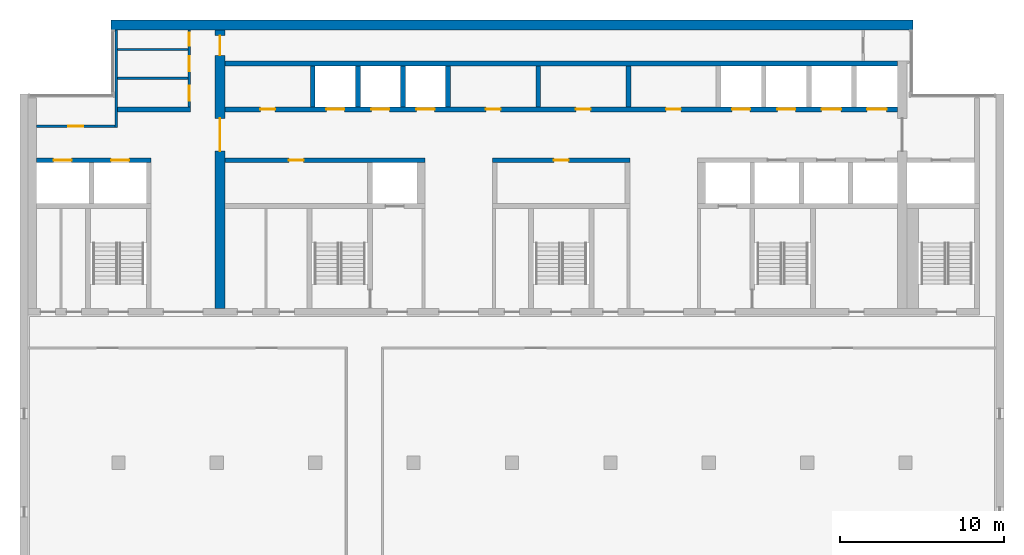
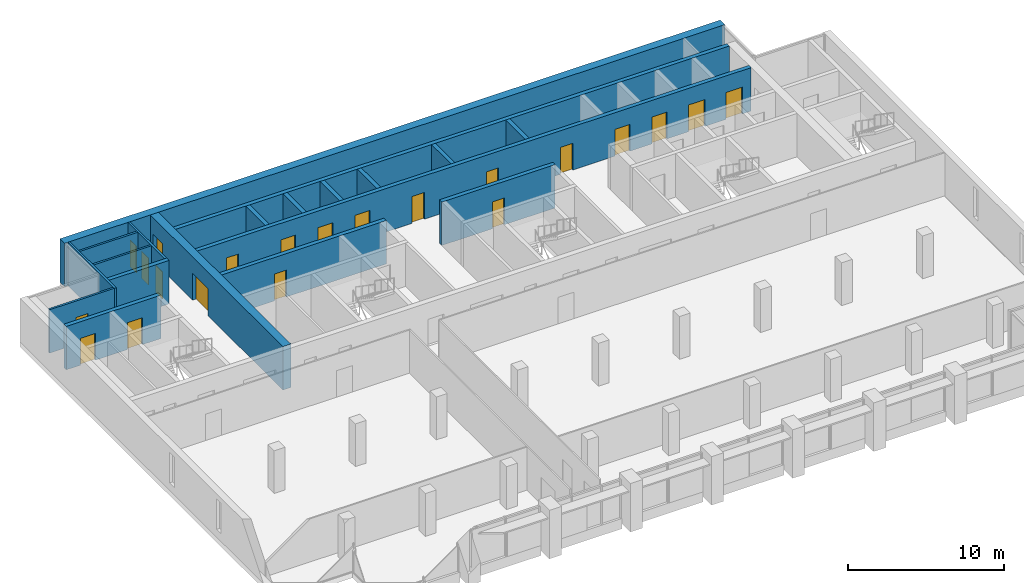
# One storey, part 10 of 14: 21 doors, 19 walls, 21 openings.
"""IFC4 building model written with IfcOpenShell, lengths in metres."""

from ifc_helpers import new_model, si_unit, direction, frame, frame_2d, origin, place, context, subcontext, project, spatial, rectangle, extrude, material, layer, layer_set, type_object, element, fill, save


model = new_model("IFC4")

# Units and contexts
model_context = context("Model", 3, precision=1e-05, world=origin(), true_north=direction((0.0, 1.0)))
body_context = subcontext(model_context, "Body", "Model", "MODEL_VIEW")
ifc_project = project(units=[si_unit("LENGTHUNIT", "METRE"), si_unit("AREAUNIT", "SQUARE_METRE"), si_unit("VOLUMEUNIT", "CUBIC_METRE"), si_unit("PLANEANGLEUNIT", "RADIAN"), si_unit("MASSUNIT", "GRAM", prefix="KILO")], contexts=[model_context])

# Site, building, storey
site_placement = place(None, origin())
site = spatial("IfcSite", under=ifc_project, at=site_placement, CompositionType="ELEMENT")
building_placement = place(site_placement, origin())
building = spatial("IfcBuilding", under=site, at=building_placement, Name="Calvaro Tower", CompositionType="ELEMENT")
storey_placement = place(building_placement, frame((0.0, 0.0, 258.35009765625)))
storey = spatial("IfcBuildingStorey", under=building, at=storey_placement, Name="L65", CompositionType="ELEMENT", Elevation=258.35009765625)

# Walls
ifc_material_1 = material(Name="Blockwork partition", Category="masonry")
ifc_layer_1 = layer(ifc_material_1, 0.14990234375)
ifc_layer_set_1 = layer_set([ifc_layer_1], Name="Blockwork partition")
wall_type_1 = type_object("IfcWallType", Name="Core partition 150 EI 60", PredefinedType="PARTITIONING", material=ifc_layer_set_1)
for number, where, z_axis, x_axis, name in (
    (1, (11.949951171875, 42.449951171875, 0.0), (0.0, 0.0, 1.0), (1.0, 0.0, 0.0), "Core partition"),
    (2, (11.949951171875, 44.199951171875, 0.0), (0.0, 0.0, 1.0), (1.0, 0.0, 0.0), "Core partition"),
):
    element("IfcWall", number, at=place(storey_placement, frame(where, z_axis=z_axis, x_axis=x_axis)), inside=storey, type_object=wall_type_1, Name=name, PredefinedType="PARTITIONING", context=body_context, shape_type="SweptSolid", body=[
        extrude(rectangle(XDim=4.300048828125, YDim=0.14990234375, at=frame_2d((2.14990234375, 0.0))), origin(), (0.0, 0.0, 1.0), 3.39990234375),
    ])

# Wall, openings, doors
ifc_material_2 = material(Name="Blockwork partition", Category="masonry")
ifc_layer_2 = layer(ifc_material_2, 0.14990234375)
ifc_layer_set_2 = layer_set([ifc_layer_2], Name="Blockwork partition")
wall_type_2 = type_object("IfcWallType", Name="Core partition 150 REI 120", PredefinedType="PARTITIONING", material=ifc_layer_set_2)
wall_1_placement = place(storey_placement, frame((16.324951171875, 45.39990234375, 0.0), z_axis=(0.0, 0.0, 1.0), x_axis=(0.0, -1.0, 0.0)))
wall_1 = element("IfcWall", 3, at=wall_1_placement, inside=storey, type_object=wall_type_2, Name="Core partition", PredefinedType="PARTITIONING", context=body_context, shape_type="SweptSolid", body=[
    extrude(rectangle(XDim=4.699951171875, YDim=0.14990234375, at=frame_2d((2.35009765625, 0.0))), origin(), (0.0, 0.0, 1.0), 3.39990234375),
])
opening_1_placement = place(wall_1_placement, frame((3.41259765625, 0.0, 0.0)))
opening_1 = element("IfcOpeningElement", 4, at=opening_1_placement, cuts=wall_1, Name="Opening RD9", PredefinedType="OPENING", context=body_context, shape_type="SweptSolid", body=[
    extrude(rectangle(XDim=0.89990234375, YDim=2.10009765625, at=frame_2d((0.449951171875, 1.050048828125))), frame((0.0, 0.0849609375, 0.0), z_axis=(0.0, -1.0, 0.0), x_axis=(1.0, 0.0, 0.0)), (0.0, 0.0, 1.0), 0.169921875),
])
opening_2_placement = place(wall_1_placement, frame((1.625, 0.0, 0.0)))
opening_2 = element("IfcOpeningElement", 5, at=opening_2_placement, cuts=wall_1, Name="Opening RD9", PredefinedType="OPENING", context=body_context, shape_type="SweptSolid", body=[
    extrude(rectangle(XDim=0.89990234375, YDim=2.10009765625, at=frame_2d((0.449951171875, 1.050048828125))), frame((0.0, 0.0849609375, 0.0), z_axis=(0.0, -1.0, 0.0), x_axis=(1.0, 0.0, 0.0)), (0.0, 0.0, 1.0), 0.169921875),
])
opening_3_placement = place(wall_1_placement, frame((0.16259765625, 0.0, 0.0)))
opening_3 = element("IfcOpeningElement", 6, at=opening_3_placement, cuts=wall_1, Name="Opening RD8C", PredefinedType="OPENING", context=body_context, shape_type="SweptSolid", body=[
    extrude(rectangle(XDim=0.800048828125, YDim=2.10009765625, at=frame_2d((0.39990234375, 1.050048828125))), frame((0.0, 0.0849609375, 0.0), z_axis=(0.0, -1.0, 0.0), x_axis=(1.0, 0.0, 0.0)), (0.0, 0.0, 1.0), 0.169921875),
])
ifc_material_3 = material(Name="Steel door set", Category="steel")
door_type_1 = type_object("IfcDoorType", Name="Room door 800 FD30", OperationType="SINGLE_SWING_LEFT", PredefinedType="DOOR", material=ifc_material_3)
door_1_placement = place(opening_3_placement, origin())
door_1 = element("IfcDoor", 7, at=door_1_placement, inside=storey, type_object=door_type_1, Name="Room door", OperationType="SINGLE_SWING_RIGHT", OverallHeight=2.10009765625, OverallWidth=0.800048828125, PredefinedType="DOOR", context=body_context, shape_type="SweptSolid", body=[
    extrude(rectangle(XDim=0.800048828125, YDim=2.10009765625, at=frame_2d((0.39990234375, 1.050048828125))), frame((0.0, 0.02490234375, 0.0), z_axis=(0.0, -1.0, 0.0), x_axis=(1.0, 0.0, 0.0)), (0.0, 0.0, 1.0), 0.050048828125),
])
fill(opening_3, door_1)
ifc_material_4 = material(Name="Steel door set", Category="steel")
door_type_2 = type_object("IfcDoorType", Name="Room door 900", OperationType="SINGLE_SWING_LEFT", PredefinedType="DOOR", material=ifc_material_4)
door_2_placement = place(opening_1_placement, origin())
door_2 = element("IfcDoor", 8, at=door_2_placement, inside=storey, type_object=door_type_2, Name="Room door", OperationType="SINGLE_SWING_RIGHT", OverallHeight=2.10009765625, OverallWidth=0.89990234375, PredefinedType="DOOR", context=body_context, shape_type="SweptSolid", body=[
    extrude(rectangle(XDim=0.89990234375, YDim=2.10009765625, at=frame_2d((0.449951171875, 1.050048828125))), frame((0.0, 0.02490234375, 0.0), z_axis=(0.0, -1.0, 0.0), x_axis=(1.0, 0.0, 0.0)), (0.0, 0.0, 1.0), 0.050048828125),
])
fill(opening_1, door_2)
door_3_placement = place(opening_2_placement, origin())
door_3 = element("IfcDoor", 9, at=door_3_placement, inside=storey, type_object=door_type_2, Name="Room door", OperationType="SINGLE_SWING_LEFT", OverallHeight=2.10009765625, OverallWidth=0.89990234375, PredefinedType="DOOR", context=body_context, shape_type="SweptSolid", body=[
    extrude(rectangle(XDim=0.89990234375, YDim=2.10009765625, at=frame_2d((0.449951171875, 1.050048828125))), frame((0.0, 0.02490234375, 0.0), z_axis=(0.0, -1.0, 0.0), x_axis=(1.0, 0.0, 0.0)), (0.0, 0.0, 1.0), 0.050048828125),
])
fill(opening_2, door_3)

# Wall
wall_2_placement = place(storey_placement, frame((11.875, 39.449951171875, 0.0), z_axis=(0.0, 0.0, 1.0), x_axis=(0.0, 1.0, 0.0)))
element("IfcWall", 10, at=wall_2_placement, inside=storey, type_object=wall_type_2, Name="Core partition", PredefinedType="PARTITIONING", context=body_context, shape_type="SweptSolid", body=[
    extrude(rectangle(XDim=5.949951171875, YDim=0.14990234375, at=frame_2d((2.97509765625, 0.0))), origin(), (0.0, 0.0, 1.0), 3.39990234375),
])

# Wall, opening, door
wall_3_placement = place(storey_placement, frame((7.0, 39.52490234375, 0.0), z_axis=(0.0, 0.0, 1.0), x_axis=(1.0, 0.0, 0.0)))
wall_3 = element("IfcWall", 11, at=wall_3_placement, inside=storey, type_object=wall_type_2, Name="Core partition", PredefinedType="PARTITIONING", context=body_context, shape_type="SweptSolid", body=[
    extrude(rectangle(XDim=4.800048828125, YDim=0.14990234375, at=frame_2d((2.39990234375, 0.0))), origin(), (0.0, 0.0, 1.0), 3.39990234375),
])
opening_4_placement = place(wall_3_placement, frame((1.949951171875, 0.0, 0.0)))
opening_4 = element("IfcOpeningElement", 12, at=opening_4_placement, cuts=wall_3, Name="Opening RD9", PredefinedType="OPENING", context=body_context, shape_type="SweptSolid", body=[
    extrude(rectangle(XDim=0.89990234375, YDim=2.10009765625, at=frame_2d((0.449951171875, 1.050048828125))), frame((0.0, 0.0849609375, 0.0), z_axis=(0.0, -1.0, 0.0), x_axis=(1.0, 0.0, 0.0)), (0.0, 0.0, 1.0), 0.169921875),
])
door_4_placement = place(opening_4_placement, origin())
door_4 = element("IfcDoor", 13, at=door_4_placement, inside=storey, type_object=door_type_2, Name="Room door", OperationType="SINGLE_SWING_LEFT", OverallHeight=2.10009765625, OverallWidth=0.89990234375, PredefinedType="DOOR", context=body_context, shape_type="SweptSolid", body=[
    extrude(rectangle(XDim=0.89990234375, YDim=2.10009765625, at=frame_2d((0.449951171875, 1.050048828125))), frame((0.0, 0.02490234375, 0.0), z_axis=(0.0, -1.0, 0.0), x_axis=(1.0, 0.0, 0.0)), (0.0, 0.0, 1.0), 0.050048828125),
])
fill(opening_4, door_4)

# Walls
ifc_material_5 = material(Name="Blockwork partition", Category="masonry")
ifc_layer_3 = layer(ifc_material_5, 0.300048828125)
ifc_layer_set_3 = layer_set([ifc_layer_3], Name="Blockwork partition")
wall_type_3 = type_object("IfcWallType", Name="Core partition 300 EI 60", PredefinedType="PARTITIONING", material=ifc_layer_set_3)
wall_4_placement = place(storey_placement, frame((37.60009765625, 40.699951171875, 0.0), z_axis=(0.0, 0.0, 1.0), x_axis=(0.0, 1.0, 0.0)))
element("IfcWall", 14, at=wall_4_placement, inside=storey, type_object=wall_type_3, Name="Core partition", PredefinedType="PARTITIONING", context=body_context, shape_type="SweptSolid", body=[
    extrude(rectangle(XDim=2.5, YDim=0.300048828125, at=frame_2d((1.25, 0.0))), origin(), (0.0, 0.0, 1.0), 3.39990234375),
])
ifc_material_6 = material(Name="Blockwork partition", Category="masonry")
ifc_layer_4 = layer(ifc_material_6, 0.300048828125)
ifc_layer_set_4 = layer_set([ifc_layer_4], Name="Blockwork partition")
wall_type_4 = type_object("IfcWallType", Name="Core partition 300 REI 120", PredefinedType="PARTITIONING", material=ifc_layer_set_4)
wall_5_placement = place(storey_placement, frame((11.949951171875, 40.550048828125, 0.0), z_axis=(0.0, 0.0, 1.0), x_axis=(1.0, 0.0, 0.0)))
element("IfcWall", 15, at=wall_5_placement, inside=storey, type_object=wall_type_4, Name="Core partition", PredefinedType="PARTITIONING", context=body_context, shape_type="SweptSolid", body=[
    extrude(rectangle(XDim=4.449951171875, YDim=0.300048828125, at=frame_2d((2.22509765625, 0.0))), origin(), (0.0, 0.0, 1.0), 3.39990234375),
])
wall_6_placement = place(storey_placement, frame((43.10009765625, 40.699951171875, 0.0), z_axis=(0.0, 0.0, 1.0), x_axis=(0.0, 1.0, 0.0)))
element("IfcWall", 16, at=wall_6_placement, inside=storey, type_object=wall_type_4, Name="Core partition", PredefinedType="PARTITIONING", context=body_context, shape_type="SweptSolid", body=[
    extrude(rectangle(XDim=2.5, YDim=0.300048828125, at=frame_2d((1.25, 0.0))), origin(), (0.0, 0.0, 1.0), 3.39990234375),
])

# Wall, openings, doors
ifc_material_7 = material(Name="Concrete C40/50", Category="concrete")
ifc_layer_5 = layer(ifc_material_7, 0.300048828125)
ifc_layer_set_5 = layer_set([ifc_layer_5], Name="Concrete C40/50")
wall_type_5 = type_object("IfcWallType", Name="Core wall C40/50 300", PredefinedType="SHEAR", material=ifc_layer_set_5)
wall_7_placement = place(storey_placement, frame((7.0, 37.449951171875, 0.0), z_axis=(0.0, 0.0, 1.0), x_axis=(1.0, 0.0, 0.0)))
wall_7 = element("IfcWall", 17, at=wall_7_placement, inside=storey, type_object=wall_type_5, Name="Core wall, lift shaft", PredefinedType="SHEAR", context=body_context, shape_type="SweptSolid", body=[
    extrude(rectangle(XDim=7.0, YDim=0.300048828125, at=frame_2d((3.5, 0.0))), origin(), (0.0, 0.0, 1.0), 3.39990234375),
])
opening_5_placement = place(wall_7_placement, frame((1.050048828125, 0.0, 0.0)))
opening_5 = element("IfcOpeningElement", 18, at=opening_5_placement, cuts=wall_7, Name="Opening EX1", PredefinedType="OPENING", context=body_context, shape_type="SweptSolid", body=[
    extrude(rectangle(XDim=1.10009765625, YDim=2.10009765625, at=frame_2d((0.550048828125, 1.050048828125))), frame((0.0, 0.159912109375, 0.0), z_axis=(0.0, -1.0, 0.0), x_axis=(1.0, 0.0, 0.0)), (0.0, 0.0, 1.0), 0.320068359375),
])
opening_6_placement = place(wall_7_placement, frame((4.550048828125, 0.0, 0.0)))
opening_6 = element("IfcOpeningElement", 19, at=opening_6_placement, cuts=wall_7, Name="Opening EX2", PredefinedType="OPENING", context=body_context, shape_type="SweptSolid", body=[
    extrude(rectangle(XDim=1.10009765625, YDim=2.10009765625, at=frame_2d((0.550048828125, 1.050048828125))), frame((0.0, 0.159912109375, 0.0), z_axis=(0.0, -1.0, 0.0), x_axis=(1.0, 0.0, 0.0)), (0.0, 0.0, 1.0), 0.320068359375),
])
ifc_material_8 = material(Name="Stainless steel", Category="steel")
door_type_3 = type_object("IfcDoorType", Name="Landing door 1100 E 60", OperationType="SLIDING_TO_LEFT", PredefinedType="DOOR", material=ifc_material_8)
door_5_placement = place(opening_5_placement, origin())
door_5 = element("IfcDoor", 20, at=door_5_placement, inside=storey, type_object=door_type_3, Name="Landing door EX1", OperationType="SLIDING_TO_LEFT", OverallHeight=2.10009765625, OverallWidth=1.10009765625, PredefinedType="DOOR", context=body_context, shape_type="SweptSolid", body=[
    extrude(rectangle(XDim=1.10009765625, YDim=2.10009765625, at=frame_2d((0.550048828125, 1.050048828125))), frame((0.0, 0.02490234375, 0.0), z_axis=(0.0, -1.0, 0.0), x_axis=(1.0, 0.0, 0.0)), (0.0, 0.0, 1.0), 0.050048828125),
])
fill(opening_5, door_5)
door_6_placement = place(opening_6_placement, origin())
door_6 = element("IfcDoor", 21, at=door_6_placement, inside=storey, type_object=door_type_3, Name="Landing door EX2", OperationType="SLIDING_TO_LEFT", OverallHeight=2.10009765625, OverallWidth=1.10009765625, PredefinedType="DOOR", context=body_context, shape_type="SweptSolid", body=[
    extrude(rectangle(XDim=1.10009765625, YDim=2.10009765625, at=frame_2d((0.550048828125, 1.050048828125))), frame((0.0, 0.02490234375, 0.0), z_axis=(0.0, -1.0, 0.0), x_axis=(1.0, 0.0, 0.0)), (0.0, 0.0, 1.0), 0.050048828125),
])
fill(opening_6, door_6)

# Wall, opening, door
wall_8_placement = place(storey_placement, frame((30.699951171875, 37.449951171875, 0.0), z_axis=(0.0, 0.0, 1.0), x_axis=(-1.0, 0.0, 0.0)))
wall_8 = element("IfcWall", 22, at=wall_8_placement, inside=storey, type_object=wall_type_5, Name="Core wall, bay", PredefinedType="SHEAR", context=body_context, shape_type="SweptSolid", body=[
    extrude(rectangle(XDim=12.199951171875, YDim=0.300048828125, at=frame_2d((6.10009765625, 0.0))), origin(), (0.0, 0.0, 1.0), 3.39990234375),
])
opening_7_placement = place(wall_8_placement, frame((7.39990234375, 0.0, 0.0)))
opening_7 = element("IfcOpeningElement", 23, at=opening_7_placement, cuts=wall_8, Name="Opening RD9E", PredefinedType="OPENING", context=body_context, shape_type="SweptSolid", body=[
    extrude(rectangle(XDim=0.89990234375, YDim=2.10009765625, at=frame_2d((0.449951171875, 1.050048828125))), frame((0.0, 0.159912109375, 0.0), z_axis=(0.0, -1.0, 0.0), x_axis=(1.0, 0.0, 0.0)), (0.0, 0.0, 1.0), 0.320068359375),
])
ifc_material_9 = material(Name="Steel door set", Category="steel")
door_type_4 = type_object("IfcDoorType", Name="Room door 900 FD60", OperationType="SINGLE_SWING_LEFT", PredefinedType="DOOR", material=ifc_material_9)
door_7_placement = place(opening_7_placement, origin())
door_7 = element("IfcDoor", 24, at=door_7_placement, inside=storey, type_object=door_type_4, Name="Room door", OperationType="SINGLE_SWING_LEFT", OverallHeight=2.10009765625, OverallWidth=0.89990234375, PredefinedType="DOOR", context=body_context, shape_type="SweptSolid", body=[
    extrude(rectangle(XDim=0.89990234375, YDim=2.10009765625, at=frame_2d((0.449951171875, 1.050048828125))), frame((0.0, 0.02490234375, 0.0), z_axis=(0.0, -1.0, 0.0), x_axis=(1.0, 0.0, 0.0)), (0.0, 0.0, 1.0), 0.050048828125),
])
fill(opening_7, door_7)

wall_9_placement = place(storey_placement, frame((43.199951171875, 37.449951171875, 0.0), z_axis=(0.0, 0.0, 1.0), x_axis=(-1.0, 0.0, 0.0)))
wall_9 = element("IfcWall", 25, at=wall_9_placement, inside=storey, type_object=wall_type_5, Name="Core wall, bay", PredefinedType="SHEAR", context=body_context, shape_type="SweptSolid", body=[
    extrude(rectangle(XDim=8.39990234375, YDim=0.300048828125, at=frame_2d((4.199951171875, 0.0))), origin(), (0.0, 0.0, 1.0), 3.39990234375),
])
opening_8_placement = place(wall_9_placement, frame((3.75, 0.0, 0.0)))
opening_8 = element("IfcOpeningElement", 26, at=opening_8_placement, cuts=wall_9, Name="Opening RD9C", PredefinedType="OPENING", context=body_context, shape_type="SweptSolid", body=[
    extrude(rectangle(XDim=0.89990234375, YDim=2.10009765625, at=frame_2d((0.449951171875, 1.050048828125))), frame((0.0, 0.159912109375, 0.0), z_axis=(0.0, -1.0, 0.0), x_axis=(1.0, 0.0, 0.0)), (0.0, 0.0, 1.0), 0.320068359375),
])
ifc_material_10 = material(Name="Steel door set", Category="steel")
door_type_5 = type_object("IfcDoorType", Name="Room door 900 FD30", OperationType="SINGLE_SWING_LEFT", PredefinedType="DOOR", material=ifc_material_10)
door_8_placement = place(opening_8_placement, origin())
door_8 = element("IfcDoor", 27, at=door_8_placement, inside=storey, type_object=door_type_5, Name="Room door", OperationType="SINGLE_SWING_RIGHT", OverallHeight=2.10009765625, OverallWidth=0.89990234375, PredefinedType="DOOR", context=body_context, shape_type="SweptSolid", body=[
    extrude(rectangle(XDim=0.89990234375, YDim=2.10009765625, at=frame_2d((0.449951171875, 1.050048828125))), frame((0.0, 0.02490234375, 0.0), z_axis=(0.0, -1.0, 0.0), x_axis=(1.0, 0.0, 0.0)), (0.0, 0.0, 1.0), 0.050048828125),
])
fill(opening_8, door_8)

# Wall, openings, doors
wall_10_placement = place(storey_placement, frame((18.5, 40.550048828125, 0.0), z_axis=(0.0, 0.0, 1.0), x_axis=(1.0, 0.0, 0.0)))
wall_10 = element("IfcWall", 28, at=wall_10_placement, inside=storey, type_object=wall_type_5, Name="Core wall, bay", PredefinedType="SHEAR", context=body_context, shape_type="SweptSolid", body=[
    extrude(rectangle(XDim=41.0, YDim=0.300048828125, at=frame_2d((20.5, 0.0))), origin(), (0.0, 0.0, 1.0), 3.39990234375),
])
opening_9_placement = place(wall_10_placement, frame((2.14990234375, 0.0, 0.0)))
opening_9 = element("IfcOpeningElement", 29, at=opening_9_placement, cuts=wall_10, Name="Opening RD9C", PredefinedType="OPENING", context=body_context, shape_type="SweptSolid", body=[
    extrude(rectangle(XDim=0.89990234375, YDim=2.10009765625, at=frame_2d((0.449951171875, 1.050048828125))), frame((0.0, 0.159912109375, 0.0), z_axis=(0.0, -1.0, 0.0), x_axis=(1.0, 0.0, 0.0)), (0.0, 0.0, 1.0), 0.320068359375),
])
opening_10_placement = place(wall_10_placement, frame((15.89990234375, 0.0, 0.0)))
opening_10 = element("IfcOpeningElement", 30, at=opening_10_placement, cuts=wall_10, Name="Opening RD9E", PredefinedType="OPENING", context=body_context, shape_type="SweptSolid", body=[
    extrude(rectangle(XDim=0.89990234375, YDim=2.10009765625, at=frame_2d((0.449951171875, 1.050048828125))), frame((0.0, 0.159912109375, 0.0), z_axis=(0.0, -1.0, 0.0), x_axis=(1.0, 0.0, 0.0)), (0.0, 0.0, 1.0), 0.320068359375),
])
opening_11_placement = place(wall_10_placement, frame((21.39990234375, 0.0, 0.0)))
opening_11 = element("IfcOpeningElement", 31, at=opening_11_placement, cuts=wall_10, Name="Opening RD9C", PredefinedType="OPENING", context=body_context, shape_type="SweptSolid", body=[
    extrude(rectangle(XDim=0.89990234375, YDim=2.10009765625, at=frame_2d((0.449951171875, 1.050048828125))), frame((0.0, 0.159912109375, 0.0), z_axis=(0.0, -1.0, 0.0), x_axis=(1.0, 0.0, 0.0)), (0.0, 0.0, 1.0), 0.320068359375),
])
opening_12_placement = place(wall_10_placement, frame((26.89990234375, 0.0, 0.0)))
opening_12 = element("IfcOpeningElement", 32, at=opening_12_placement, cuts=wall_10, Name="Opening RD9E", PredefinedType="OPENING", context=body_context, shape_type="SweptSolid", body=[
    extrude(rectangle(XDim=0.89990234375, YDim=2.10009765625, at=frame_2d((0.449951171875, 1.050048828125))), frame((0.0, 0.159912109375, 0.0), z_axis=(0.0, -1.0, 0.0), x_axis=(1.0, 0.0, 0.0)), (0.0, 0.0, 1.0), 0.320068359375),
])
opening_13_placement = place(wall_10_placement, frame((6.175048828125, 0.0, 0.0)))
opening_13 = element("IfcOpeningElement", 33, at=opening_13_placement, cuts=wall_10, Name="Opening HR4", PredefinedType="OPENING", context=body_context, shape_type="SweptSolid", body=[
    extrude(rectangle(XDim=1.10009765625, YDim=2.10009765625, at=frame_2d((0.550048828125, 1.050048828125))), frame((0.0, 0.159912109375, 0.0), z_axis=(0.0, -1.0, 0.0), x_axis=(1.0, 0.0, 0.0)), (0.0, 0.0, 1.0), 0.320068359375),
])
opening_14_placement = place(wall_10_placement, frame((8.925048828125, 0.0, 0.0)))
opening_14 = element("IfcOpeningElement", 34, at=opening_14_placement, cuts=wall_10, Name="Opening HR5", PredefinedType="OPENING", context=body_context, shape_type="SweptSolid", body=[
    extrude(rectangle(XDim=1.10009765625, YDim=2.10009765625, at=frame_2d((0.550048828125, 1.050048828125))), frame((0.0, 0.159912109375, 0.0), z_axis=(0.0, -1.0, 0.0), x_axis=(1.0, 0.0, 0.0)), (0.0, 0.0, 1.0), 0.320068359375),
])
opening_15_placement = place(wall_10_placement, frame((11.675048828125, 0.0, 0.0)))
opening_15 = element("IfcOpeningElement", 35, at=opening_15_placement, cuts=wall_10, Name="Opening HR6", PredefinedType="OPENING", context=body_context, shape_type="SweptSolid", body=[
    extrude(rectangle(XDim=1.10009765625, YDim=2.10009765625, at=frame_2d((0.550048828125, 1.050048828125))), frame((0.0, 0.159912109375, 0.0), z_axis=(0.0, -1.0, 0.0), x_axis=(1.0, 0.0, 0.0)), (0.0, 0.0, 1.0), 0.320068359375),
])
opening_16_placement = place(wall_10_placement, frame((30.925048828125, 0.0, 0.0)))
opening_16 = element("IfcOpeningElement", 36, at=opening_16_placement, cuts=wall_10, Name="Opening HR7", PredefinedType="OPENING", context=body_context, shape_type="SweptSolid", body=[
    extrude(rectangle(XDim=1.10009765625, YDim=2.10009765625, at=frame_2d((0.550048828125, 1.050048828125))), frame((0.0, 0.159912109375, 0.0), z_axis=(0.0, -1.0, 0.0), x_axis=(1.0, 0.0, 0.0)), (0.0, 0.0, 1.0), 0.320068359375),
])
opening_17_placement = place(wall_10_placement, frame((33.675048828125, 0.0, 0.0)))
opening_17 = element("IfcOpeningElement", 37, at=opening_17_placement, cuts=wall_10, Name="Opening HR8", PredefinedType="OPENING", context=body_context, shape_type="SweptSolid", body=[
    extrude(rectangle(XDim=1.10009765625, YDim=2.10009765625, at=frame_2d((0.550048828125, 1.050048828125))), frame((0.0, 0.159912109375, 0.0), z_axis=(0.0, -1.0, 0.0), x_axis=(1.0, 0.0, 0.0)), (0.0, 0.0, 1.0), 0.320068359375),
])
opening_18_placement = place(wall_10_placement, frame((36.375, 0.0, 0.0)))
opening_18 = element("IfcOpeningElement", 38, at=opening_18_placement, cuts=wall_10, Name="Opening SV1", PredefinedType="OPENING", context=body_context, shape_type="SweptSolid", body=[
    extrude(rectangle(XDim=1.199951171875, YDim=2.10009765625, at=frame_2d((0.60009765625, 1.050048828125))), frame((0.0, 0.159912109375, 0.0), z_axis=(0.0, -1.0, 0.0), x_axis=(1.0, 0.0, 0.0)), (0.0, 0.0, 1.0), 0.320068359375),
])
opening_19_placement = place(wall_10_placement, frame((39.14990234375, 0.0, 0.0)))
opening_19 = element("IfcOpeningElement", 39, at=opening_19_placement, cuts=wall_10, Name="Opening SV2", PredefinedType="OPENING", context=body_context, shape_type="SweptSolid", body=[
    extrude(rectangle(XDim=1.199951171875, YDim=2.10009765625, at=frame_2d((0.60009765625, 1.050048828125))), frame((0.0, 0.159912109375, 0.0), z_axis=(0.0, -1.0, 0.0), x_axis=(1.0, 0.0, 0.0)), (0.0, 0.0, 1.0), 0.320068359375),
])
door_9_placement = place(opening_13_placement, origin())
door_9 = element("IfcDoor", 40, at=door_9_placement, inside=storey, type_object=door_type_3, Name="Landing door HR4", OperationType="SLIDING_TO_LEFT", OverallHeight=2.10009765625, OverallWidth=1.10009765625, PredefinedType="DOOR", context=body_context, shape_type="SweptSolid", body=[
    extrude(rectangle(XDim=1.10009765625, YDim=2.10009765625, at=frame_2d((0.550048828125, 1.050048828125))), frame((0.0, 0.02490234375, 0.0), z_axis=(0.0, -1.0, 0.0), x_axis=(1.0, 0.0, 0.0)), (0.0, 0.0, 1.0), 0.050048828125),
])
fill(opening_13, door_9)
door_10_placement = place(opening_14_placement, origin())
door_10 = element("IfcDoor", 41, at=door_10_placement, inside=storey, type_object=door_type_3, Name="Landing door HR5", OperationType="SLIDING_TO_LEFT", OverallHeight=2.10009765625, OverallWidth=1.10009765625, PredefinedType="DOOR", context=body_context, shape_type="SweptSolid", body=[
    extrude(rectangle(XDim=1.10009765625, YDim=2.10009765625, at=frame_2d((0.550048828125, 1.050048828125))), frame((0.0, 0.02490234375, 0.0), z_axis=(0.0, -1.0, 0.0), x_axis=(1.0, 0.0, 0.0)), (0.0, 0.0, 1.0), 0.050048828125),
])
fill(opening_14, door_10)
door_11_placement = place(opening_15_placement, origin())
door_11 = element("IfcDoor", 42, at=door_11_placement, inside=storey, type_object=door_type_3, Name="Landing door HR6", OperationType="SLIDING_TO_LEFT", OverallHeight=2.10009765625, OverallWidth=1.10009765625, PredefinedType="DOOR", context=body_context, shape_type="SweptSolid", body=[
    extrude(rectangle(XDim=1.10009765625, YDim=2.10009765625, at=frame_2d((0.550048828125, 1.050048828125))), frame((0.0, 0.02490234375, 0.0), z_axis=(0.0, -1.0, 0.0), x_axis=(1.0, 0.0, 0.0)), (0.0, 0.0, 1.0), 0.050048828125),
])
fill(opening_15, door_11)
door_12_placement = place(opening_16_placement, origin())
door_12 = element("IfcDoor", 43, at=door_12_placement, inside=storey, type_object=door_type_3, Name="Landing door HR7", OperationType="SLIDING_TO_LEFT", OverallHeight=2.10009765625, OverallWidth=1.10009765625, PredefinedType="DOOR", context=body_context, shape_type="SweptSolid", body=[
    extrude(rectangle(XDim=1.10009765625, YDim=2.10009765625, at=frame_2d((0.550048828125, 1.050048828125))), frame((0.0, 0.02490234375, 0.0), z_axis=(0.0, -1.0, 0.0), x_axis=(1.0, 0.0, 0.0)), (0.0, 0.0, 1.0), 0.050048828125),
])
fill(opening_16, door_12)
door_13_placement = place(opening_17_placement, origin())
door_13 = element("IfcDoor", 44, at=door_13_placement, inside=storey, type_object=door_type_3, Name="Landing door HR8", OperationType="SLIDING_TO_LEFT", OverallHeight=2.10009765625, OverallWidth=1.10009765625, PredefinedType="DOOR", context=body_context, shape_type="SweptSolid", body=[
    extrude(rectangle(XDim=1.10009765625, YDim=2.10009765625, at=frame_2d((0.550048828125, 1.050048828125))), frame((0.0, 0.02490234375, 0.0), z_axis=(0.0, -1.0, 0.0), x_axis=(1.0, 0.0, 0.0)), (0.0, 0.0, 1.0), 0.050048828125),
])
fill(opening_17, door_13)
ifc_material_11 = material(Name="Stainless steel", Category="steel")
door_type_6 = type_object("IfcDoorType", Name="Landing door 1200 E 60", OperationType="SLIDING_TO_LEFT", PredefinedType="DOOR", material=ifc_material_11)
door_14_placement = place(opening_18_placement, origin())
door_14 = element("IfcDoor", 45, at=door_14_placement, inside=storey, type_object=door_type_6, Name="Landing door SV1", OperationType="SLIDING_TO_LEFT", OverallHeight=2.10009765625, OverallWidth=1.199951171875, PredefinedType="DOOR", context=body_context, shape_type="SweptSolid", body=[
    extrude(rectangle(XDim=1.199951171875, YDim=2.10009765625, at=frame_2d((0.60009765625, 1.050048828125))), frame((0.0, 0.02490234375, 0.0), z_axis=(0.0, -1.0, 0.0), x_axis=(1.0, 0.0, 0.0)), (0.0, 0.0, 1.0), 0.050048828125),
])
fill(opening_18, door_14)
door_15_placement = place(opening_19_placement, origin())
door_15 = element("IfcDoor", 46, at=door_15_placement, inside=storey, type_object=door_type_6, Name="Landing door SV2", OperationType="SLIDING_TO_LEFT", OverallHeight=2.10009765625, OverallWidth=1.199951171875, PredefinedType="DOOR", context=body_context, shape_type="SweptSolid", body=[
    extrude(rectangle(XDim=1.199951171875, YDim=2.10009765625, at=frame_2d((0.60009765625, 1.050048828125))), frame((0.0, 0.02490234375, 0.0), z_axis=(0.0, -1.0, 0.0), x_axis=(1.0, 0.0, 0.0)), (0.0, 0.0, 1.0), 0.050048828125),
])
fill(opening_19, door_15)
door_16_placement = place(opening_9_placement, origin())
door_16 = element("IfcDoor", 47, at=door_16_placement, inside=storey, type_object=door_type_5, Name="Room door", OperationType="SINGLE_SWING_RIGHT", OverallHeight=2.10009765625, OverallWidth=0.89990234375, PredefinedType="DOOR", context=body_context, shape_type="SweptSolid", body=[
    extrude(rectangle(XDim=0.89990234375, YDim=2.10009765625, at=frame_2d((0.449951171875, 1.050048828125))), frame((0.0, 0.02490234375, 0.0), z_axis=(0.0, -1.0, 0.0), x_axis=(1.0, 0.0, 0.0)), (0.0, 0.0, 1.0), 0.050048828125),
])
fill(opening_9, door_16)
door_17_placement = place(opening_11_placement, origin())
door_17 = element("IfcDoor", 48, at=door_17_placement, inside=storey, type_object=door_type_5, Name="Room door", OperationType="SINGLE_SWING_LEFT", OverallHeight=2.10009765625, OverallWidth=0.89990234375, PredefinedType="DOOR", context=body_context, shape_type="SweptSolid", body=[
    extrude(rectangle(XDim=0.89990234375, YDim=2.10009765625, at=frame_2d((0.449951171875, 1.050048828125))), frame((0.0, 0.02490234375, 0.0), z_axis=(0.0, -1.0, 0.0), x_axis=(1.0, 0.0, 0.0)), (0.0, 0.0, 1.0), 0.050048828125),
])
fill(opening_11, door_17)
door_18_placement = place(opening_10_placement, origin())
door_18 = element("IfcDoor", 49, at=door_18_placement, inside=storey, type_object=door_type_4, Name="Room door", OperationType="SINGLE_SWING_LEFT", OverallHeight=2.10009765625, OverallWidth=0.89990234375, PredefinedType="DOOR", context=body_context, shape_type="SweptSolid", body=[
    extrude(rectangle(XDim=0.89990234375, YDim=2.10009765625, at=frame_2d((0.449951171875, 1.050048828125))), frame((0.0, 0.02490234375, 0.0), z_axis=(0.0, -1.0, 0.0), x_axis=(1.0, 0.0, 0.0)), (0.0, 0.0, 1.0), 0.050048828125),
])
fill(opening_10, door_18)
door_19_placement = place(opening_12_placement, origin())
door_19 = element("IfcDoor", 50, at=door_19_placement, inside=storey, type_object=door_type_4, Name="Room door", OperationType="SINGLE_SWING_LEFT", OverallHeight=2.10009765625, OverallWidth=0.89990234375, PredefinedType="DOOR", context=body_context, shape_type="SweptSolid", body=[
    extrude(rectangle(XDim=0.89990234375, YDim=2.10009765625, at=frame_2d((0.449951171875, 1.050048828125))), frame((0.0, 0.02490234375, 0.0), z_axis=(0.0, -1.0, 0.0), x_axis=(1.0, 0.0, 0.0)), (0.0, 0.0, 1.0), 0.050048828125),
])
fill(opening_12, door_19)

# Walls
wall_11_placement = place(storey_placement, frame((18.5, 43.35009765625, 0.0), z_axis=(0.0, 0.0, 1.0), x_axis=(1.0, 0.0, 0.0)))
element("IfcWall", 51, at=wall_11_placement, inside=storey, type_object=wall_type_5, Name="Core wall, lift shaft", PredefinedType="SHEAR", context=body_context, shape_type="SweptSolid", body=[
    extrude(rectangle(XDim=41.0, YDim=0.300048828125, at=frame_2d((20.5, 0.0))), origin(), (0.0, 0.0, 1.0), 3.39990234375),
])
for number, where, z_axis, x_axis, name in (
    (52, (23.85009765625, 40.699951171875, 0.0), (0.0, 0.0, 1.0), (0.0, 1.0, 0.0), "Core wall, lift shaft"),
    (53, (26.60009765625, 40.699951171875, 0.0), (0.0, 0.0, 1.0), (0.0, 1.0, 0.0), "Core wall, lift shaft"),
    (54, (29.35009765625, 40.699951171875, 0.0), (0.0, 0.0, 1.0), (0.0, 1.0, 0.0), "Core wall, lift shaft"),
    (55, (32.10009765625, 40.699951171875, 0.0), (0.0, 0.0, 1.0), (0.0, 1.0, 0.0), "Core wall, lift shaft"),
):
    element("IfcWall", number, at=place(storey_placement, frame(where, z_axis=z_axis, x_axis=x_axis)), inside=storey, type_object=wall_type_5, Name=name, PredefinedType="SHEAR", context=body_context, shape_type="SweptSolid", body=[
        extrude(rectangle(XDim=2.5, YDim=0.300048828125, at=frame_2d((1.25, 0.0))), origin(), (0.0, 0.0, 1.0), 3.39990234375),
    ])

# Wall, openings, doors
ifc_material_12 = material(Name="Concrete C40/50", Category="concrete")
ifc_layer_6 = layer(ifc_material_12, 0.60009765625)
ifc_layer_set_6 = layer_set([ifc_layer_6], Name="Concrete C40/50")
wall_type_6 = type_object("IfcWallType", Name="Core wall C40/50 600", PredefinedType="SHEAR", material=ifc_layer_set_6)
wall_12_placement = place(storey_placement, frame((18.199951171875, 28.39990234375, 0.0), z_axis=(0.0, 0.0, 1.0), x_axis=(0.0, 1.0, 0.0)))
wall_12 = element("IfcWall", 56, at=wall_12_placement, inside=storey, type_object=wall_type_6, Name="Core wall, cross shear wall", PredefinedType="SHEAR", context=body_context, shape_type="SweptSolid", body=[
    extrude(rectangle(XDim=17.0, YDim=0.60009765625, at=frame_2d((8.5, 0.0))), origin(), (0.0, 0.0, 1.0), 3.39990234375),
])
opening_20_placement = place(wall_12_placement, frame((9.60009765625, 0.0, 0.0)))
opening_20 = element("IfcOpeningElement", 57, at=opening_20_placement, cuts=wall_12, Name="Opening DD20D", PredefinedType="OPENING", context=body_context, shape_type="SweptSolid", body=[
    extrude(rectangle(XDim=2.0, YDim=2.10009765625, at=frame_2d((1.0, 1.050048828125))), frame((0.0, 0.31005859375, 0.0), z_axis=(0.0, -1.0, 0.0), x_axis=(1.0, 0.0, 0.0)), (0.0, 0.0, 1.0), 0.6201171875),
])
opening_21_placement = place(wall_12_placement, frame((15.449951171875, 0.0, 0.0)))
opening_21 = element("IfcOpeningElement", 58, at=opening_21_placement, cuts=wall_12, Name="Opening FD12C", PredefinedType="OPENING", context=body_context, shape_type="SweptSolid", body=[
    extrude(rectangle(XDim=1.199951171875, YDim=2.10009765625, at=frame_2d((0.60009765625, 1.050048828125))), frame((0.0, 0.31005859375, 0.0), z_axis=(0.0, -1.0, 0.0), x_axis=(1.0, 0.0, 0.0)), (0.0, 0.0, 1.0), 0.6201171875),
])
ifc_material_13 = material(Name="Steel door set", Category="steel")
door_type_7 = type_object("IfcDoorType", Name="Fire door 1200 FD30", OperationType="SINGLE_SWING_LEFT", PredefinedType="DOOR", material=ifc_material_13)
door_20_placement = place(opening_21_placement, origin())
door_20 = element("IfcDoor", 59, at=door_20_placement, inside=storey, type_object=door_type_7, Name="Fire door", OperationType="SINGLE_SWING_RIGHT", OverallHeight=2.10009765625, OverallWidth=1.199951171875, PredefinedType="DOOR", context=body_context, shape_type="SweptSolid", body=[
    extrude(rectangle(XDim=1.199951171875, YDim=2.10009765625, at=frame_2d((0.60009765625, 1.050048828125))), frame((0.0, 0.02490234375, 0.0), z_axis=(0.0, -1.0, 0.0), x_axis=(1.0, 0.0, 0.0)), (0.0, 0.0, 1.0), 0.050048828125),
])
fill(opening_21, door_20)
ifc_material_14 = material(Name="Steel door set", Category="steel")
door_type_8 = type_object("IfcDoorType", Name="Lobby double door 2000 FD30S", OperationType="DOUBLE_DOOR_SINGLE_SWING", PredefinedType="DOOR", material=ifc_material_14)
door_21_placement = place(opening_20_placement, origin())
door_21 = element("IfcDoor", 60, at=door_21_placement, inside=storey, type_object=door_type_8, Name="Lobby double door", OperationType="DOUBLE_DOOR_SINGLE_SWING", OverallHeight=2.10009765625, OverallWidth=2.0, PredefinedType="DOOR", context=body_context, shape_type="SweptSolid", body=[
    extrude(rectangle(XDim=2.0, YDim=2.10009765625, at=frame_2d((1.0, 1.050048828125))), frame((0.0, 0.02490234375, 0.0), z_axis=(0.0, -1.0, 0.0), x_axis=(1.0, 0.0, 0.0)), (0.0, 0.0, 1.0), 0.050048828125),
])
fill(opening_20, door_21)

# Wall
ifc_material_15 = material(Name="Concrete C40/50", Category="concrete")
ifc_layer_7 = layer(ifc_material_15, 0.60009765625)
ifc_layer_set_7 = layer_set([ifc_layer_7], Name="Concrete C40/50")
wall_type_7 = type_object("IfcWallType", Name="Rear core wall 600 C40/50", PredefinedType="SHEAR", material=ifc_layer_set_7)
wall_13_placement = place(storey_placement, frame((11.550048828125, 45.699951171875, 0.0), z_axis=(0.0, 0.0, 1.0), x_axis=(1.0, 0.0, 0.0)))
element("IfcWall", 61, at=wall_13_placement, inside=storey, type_object=wall_type_7, Name="North core wall", PredefinedType="SHEAR", context=body_context, shape_type="SweptSolid", body=[
    extrude(rectangle(XDim=48.89990234375, YDim=0.60009765625, at=frame_2d((24.449951171875, 0.0))), origin(), (0.0, 0.0, 1.0), 3.39990234375),
])

save(model, "model.ifc")
